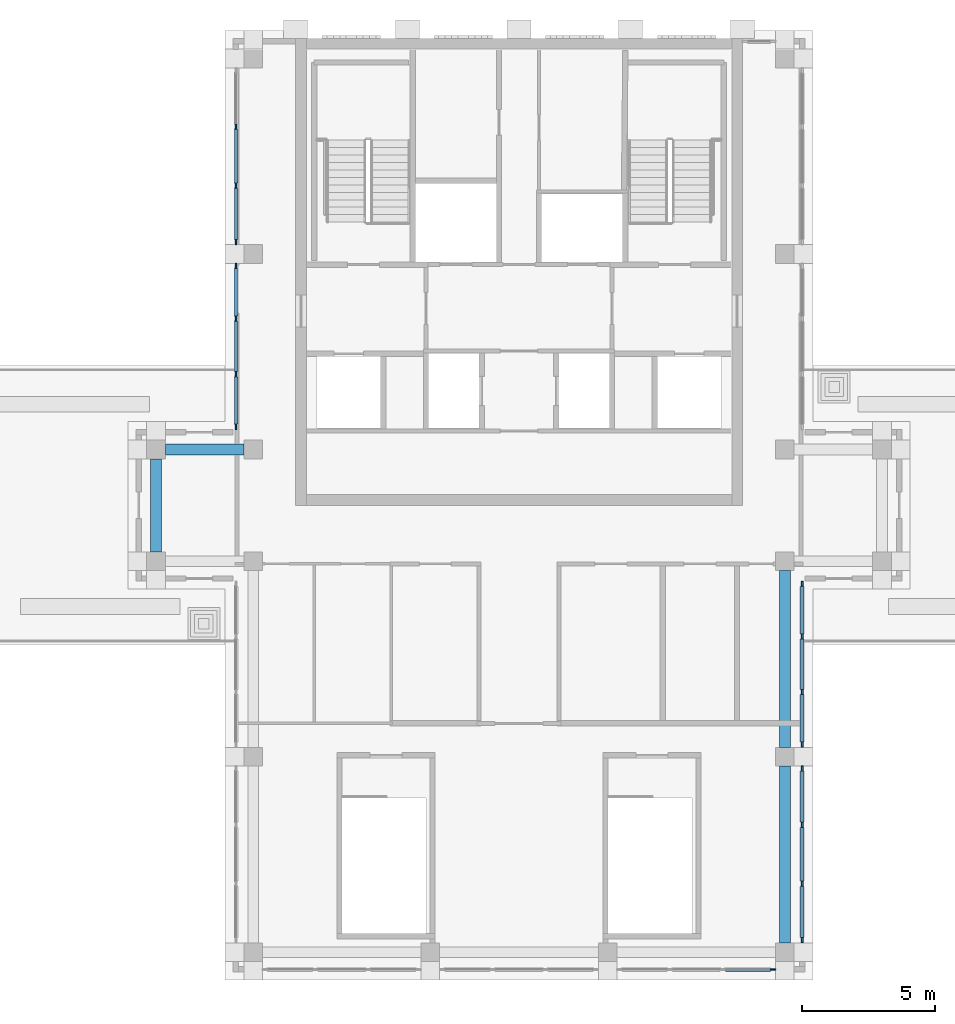
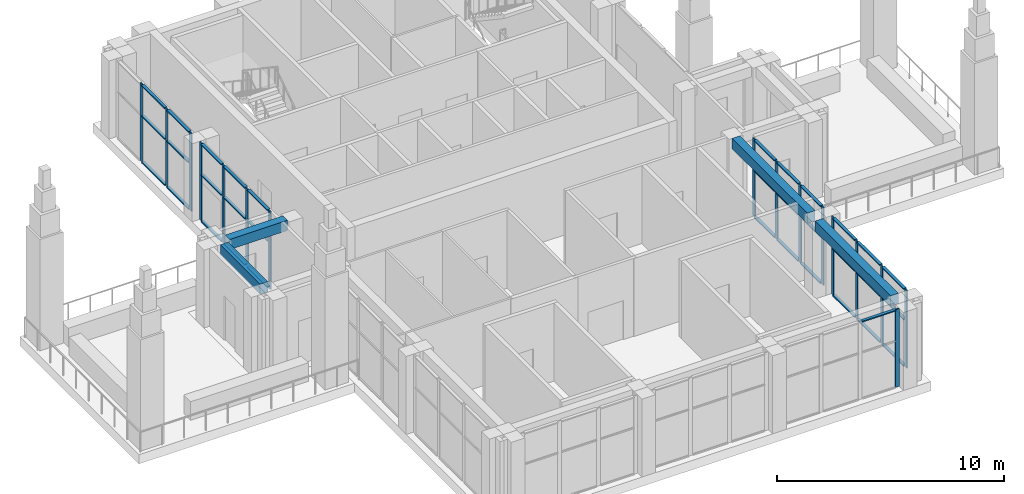
# One storey, part 3 of 12: 50 members, 4 beams, 5 elements without a shape of their own.
"""IFC4 building model written with IfcOpenShell, lengths in metres."""

from ifc_helpers import new_model, si_unit, direction, frame, origin, origin_2d, place, context, subcontext, project, spatial, rectangle, extrude, material, material_profile, profile_set, type_object, element, aggregate, save


model = new_model("IFC4")

# Units and contexts
model_context = context("Model", 3, precision=1e-05, world=origin(), true_north=direction((0.0, 1.0)))
body_context = subcontext(model_context, "Body", "Model", "MODEL_VIEW")
ifc_project = project(units=[si_unit("LENGTHUNIT", "METRE"), si_unit("AREAUNIT", "SQUARE_METRE"), si_unit("VOLUMEUNIT", "CUBIC_METRE"), si_unit("PLANEANGLEUNIT", "RADIAN"), si_unit("MASSUNIT", "GRAM", prefix="KILO")], contexts=[model_context])

# Site, building, storey
site_placement = place(None, origin())
site = spatial("IfcSite", under=ifc_project, at=site_placement, CompositionType="ELEMENT")
building_placement = place(site_placement, origin())
building = spatial("IfcBuilding", under=site, at=building_placement, Name="Vermilion Ogive Tower", CompositionType="ELEMENT")
storey_placement = place(building_placement, frame((0.0, 0.0, 298.35009765625)))
storey = spatial("IfcBuildingStorey", under=building, at=storey_placement, Name="L77", CompositionType="ELEMENT", Elevation=298.35009765625)

# Curtain wall, member
ifc_material_1 = material(Name="Low-iron laminated glazing in aluminium frame", Category="aluminium")
curtain_wall_type = type_object("IfcCurtainWallType", Name="Curtain wall CW3", PredefinedType="NOTDEFINED", material=ifc_material_1)
curtain_wall_1_placement = place(storey_placement, origin())
curtain_wall_1 = element("IfcCurtainWall", 1, at=curtain_wall_1_placement, inside=storey, type_object=curtain_wall_type, Name="CW3 glazing S4", PredefinedType="NOTDEFINED")
ifc_material_2 = material(Name="Aluminium mullion", Category="aluminium")
ifc_material_profile_1 = material_profile(ifc_material_2, rectangle(XDim=0.06005859375, YDim=0.199951171875, at=origin_2d()), Name="AL 60x200")
ifc_profile_set_1 = profile_set([ifc_material_profile_1], Name="Aluminium mullion")
member_type_1 = type_object("IfcMemberType", Name="CW3 mullion 60x200", PredefinedType="MULLION", material=ifc_profile_set_1)
member_1_placement = place(storey_placement, frame((9.550048828125, -13.25, 0.0), z_axis=(0.0, 0.0, 1.0), x_axis=(0.0, 1.0, 0.0)))
member_1 = element("IfcMember", 2, at=member_1_placement, type_object=member_type_1, Name="CW3-S4 mullion 4", PredefinedType="MULLION", context=body_context, shape_type="SweptSolid", body=[
    extrude(rectangle(XDim=0.06005859375, YDim=0.199951171875, at=origin_2d()), origin(), (0.0, 0.0, 1.0), 4.199951171875),
])

# Curtain wall, members
curtain_wall_2_placement = place(storey_placement, origin())
curtain_wall_2 = element("IfcCurtainWall", 3, at=curtain_wall_2_placement, inside=storey, type_object=curtain_wall_type, Name="CW3 glazing X12", PredefinedType="NOTDEFINED")
member_2_placement = place(storey_placement, frame((10.64990234375, -12.14990234375, 0.0), z_axis=(0.0, 0.0, 1.0), x_axis=(-1.0, 0.0, 0.0)))
member_2 = element("IfcMember", 4, at=member_2_placement, type_object=member_type_1, Name="CW3-X12 mullion 1", PredefinedType="MULLION", context=body_context, shape_type="SweptSolid", body=[
    extrude(rectangle(XDim=0.06005859375, YDim=0.199951171875, at=origin_2d()), origin(), (0.0, 0.0, 1.0), 4.199951171875),
])
member_3_placement = place(storey_placement, frame((10.64990234375, -10.033447265625, 0.0), z_axis=(0.0, 0.0, 1.0), x_axis=(-1.0, 0.0, 0.0)))
member_3 = element("IfcMember", 5, at=member_3_placement, type_object=member_type_1, Name="CW3-X12 mullion 2", PredefinedType="MULLION", context=body_context, shape_type="SweptSolid", body=[
    extrude(rectangle(XDim=0.06005859375, YDim=0.199951171875, at=origin_2d()), origin(), (0.0, 0.0, 1.0), 4.199951171875),
])
member_4_placement = place(storey_placement, frame((10.64990234375, -7.816650390625, 0.0), z_axis=(0.0, 0.0, 1.0), x_axis=(-1.0, 0.0, 0.0)))
member_4 = element("IfcMember", 6, at=member_4_placement, type_object=member_type_1, Name="CW3-X12 mullion 3", PredefinedType="MULLION", context=body_context, shape_type="SweptSolid", body=[
    extrude(rectangle(XDim=0.06005859375, YDim=0.199951171875, at=origin_2d()), origin(), (0.0, 0.0, 1.0), 4.199951171875),
])
member_5_placement = place(storey_placement, frame((10.64990234375, -5.699951171875, 0.0), z_axis=(0.0, 0.0, 1.0), x_axis=(-1.0, 0.0, 0.0)))
member_5 = element("IfcMember", 7, at=member_5_placement, type_object=member_type_1, Name="CW3-X12 mullion 4", PredefinedType="MULLION", context=body_context, shape_type="SweptSolid", body=[
    extrude(rectangle(XDim=0.06005859375, YDim=0.199951171875, at=origin_2d()), origin(), (0.0, 0.0, 1.0), 4.199951171875),
])

curtain_wall_3_placement = place(storey_placement, origin())
curtain_wall_3 = element("IfcCurtainWall", 8, at=curtain_wall_3_placement, inside=storey, type_object=curtain_wall_type, Name="CW3 glazing X13", PredefinedType="NOTDEFINED")
member_6_placement = place(storey_placement, frame((10.64990234375, -4.800048828125, 0.0), z_axis=(0.0, 0.0, 1.0), x_axis=(-1.0, 0.0, 0.0)))
member_6 = element("IfcMember", 9, at=member_6_placement, type_object=member_type_1, Name="CW3-X13 mullion 1", PredefinedType="MULLION", context=body_context, shape_type="SweptSolid", body=[
    extrude(rectangle(XDim=0.06005859375, YDim=0.199951171875, at=origin_2d()), origin(), (0.0, 0.0, 1.0), 4.199951171875),
])
member_7_placement = place(storey_placement, frame((10.64990234375, -2.816650390625, 0.0), z_axis=(0.0, 0.0, 1.0), x_axis=(-1.0, 0.0, 0.0)))
member_7 = element("IfcMember", 10, at=member_7_placement, type_object=member_type_1, Name="CW3-X13 mullion 2", PredefinedType="MULLION", context=body_context, shape_type="SweptSolid", body=[
    extrude(rectangle(XDim=0.06005859375, YDim=0.199951171875, at=origin_2d()), origin(), (0.0, 0.0, 1.0), 4.199951171875),
])
member_8_placement = place(storey_placement, frame((10.64990234375, -0.7333984375, 0.0), z_axis=(0.0, 0.0, 1.0), x_axis=(-1.0, 0.0, 0.0)))
member_8 = element("IfcMember", 11, at=member_8_placement, type_object=member_type_1, Name="CW3-X13 mullion 3", PredefinedType="MULLION", context=body_context, shape_type="SweptSolid", body=[
    extrude(rectangle(XDim=0.06005859375, YDim=0.199951171875, at=origin_2d()), origin(), (0.0, 0.0, 1.0), 4.199951171875),
])
member_9_placement = place(storey_placement, frame((10.64990234375, 1.25, 0.0), z_axis=(0.0, 0.0, 1.0), x_axis=(-1.0, 0.0, 0.0)))
member_9 = element("IfcMember", 12, at=member_9_placement, type_object=member_type_1, Name="CW3-X13 mullion 4", PredefinedType="MULLION", context=body_context, shape_type="SweptSolid", body=[
    extrude(rectangle(XDim=0.06005859375, YDim=0.199951171875, at=origin_2d()), origin(), (0.0, 0.0, 1.0), 4.199951171875),
])

curtain_wall_4_placement = place(storey_placement, origin())
curtain_wall_4 = element("IfcCurtainWall", 13, at=curtain_wall_4_placement, inside=storey, type_object=curtain_wall_type, Name="CW3 glazing X52", PredefinedType="NOTDEFINED")
member_10_placement = place(storey_placement, frame((-10.64990234375, 18.433349609375, 0.0), z_axis=(0.0, 0.0, 1.0), x_axis=(1.0, 0.0, 0.0)))
member_10 = element("IfcMember", 14, at=member_10_placement, type_object=member_type_1, Name="CW3-X52 mullion 2", PredefinedType="MULLION", context=body_context, shape_type="SweptSolid", body=[
    extrude(rectangle(XDim=0.06005859375, YDim=0.199951171875, at=origin_2d()), origin(), (0.0, 0.0, 1.0), 4.199951171875),
])
member_11_placement = place(storey_placement, frame((-10.64990234375, 16.216552734375, 0.0), z_axis=(0.0, 0.0, 1.0), x_axis=(1.0, 0.0, 0.0)))
member_11 = element("IfcMember", 15, at=member_11_placement, type_object=member_type_1, Name="CW3-X52 mullion 3", PredefinedType="MULLION", context=body_context, shape_type="SweptSolid", body=[
    extrude(rectangle(XDim=0.06005859375, YDim=0.199951171875, at=origin_2d()), origin(), (0.0, 0.0, 1.0), 4.199951171875),
])
member_12_placement = place(storey_placement, frame((-10.64990234375, 14.10009765625, 0.0), z_axis=(0.0, 0.0, 1.0), x_axis=(1.0, 0.0, 0.0)))
member_12 = element("IfcMember", 16, at=member_12_placement, type_object=member_type_1, Name="CW3-X52 mullion 4", PredefinedType="MULLION", context=body_context, shape_type="SweptSolid", body=[
    extrude(rectangle(XDim=0.06005859375, YDim=0.199951171875, at=origin_2d()), origin(), (0.0, 0.0, 1.0), 4.199951171875),
])

curtain_wall_5_placement = place(storey_placement, origin())
curtain_wall_5 = element("IfcCurtainWall", 17, at=curtain_wall_5_placement, inside=storey, type_object=curtain_wall_type, Name="CW3 glazing X53", PredefinedType="NOTDEFINED")
member_13_placement = place(storey_placement, frame((-10.64990234375, 13.199951171875, 0.0), z_axis=(0.0, 0.0, 1.0), x_axis=(1.0, 0.0, 0.0)))
member_13 = element("IfcMember", 18, at=member_13_placement, type_object=member_type_1, Name="CW3-X53 mullion 1", PredefinedType="MULLION", context=body_context, shape_type="SweptSolid", body=[
    extrude(rectangle(XDim=0.06005859375, YDim=0.199951171875, at=origin_2d()), origin(), (0.0, 0.0, 1.0), 4.199951171875),
])
member_14_placement = place(storey_placement, frame((-10.64990234375, 11.216552734375, 0.0), z_axis=(0.0, 0.0, 1.0), x_axis=(1.0, 0.0, 0.0)))
member_14 = element("IfcMember", 19, at=member_14_placement, type_object=member_type_1, Name="CW3-X53 mullion 2", PredefinedType="MULLION", context=body_context, shape_type="SweptSolid", body=[
    extrude(rectangle(XDim=0.06005859375, YDim=0.199951171875, at=origin_2d()), origin(), (0.0, 0.0, 1.0), 4.199951171875),
])
member_15_placement = place(storey_placement, frame((-10.64990234375, 9.13330078125, 0.0), z_axis=(0.0, 0.0, 1.0), x_axis=(1.0, 0.0, 0.0)))
member_15 = element("IfcMember", 20, at=member_15_placement, type_object=member_type_1, Name="CW3-X53 mullion 3", PredefinedType="MULLION", context=body_context, shape_type="SweptSolid", body=[
    extrude(rectangle(XDim=0.06005859375, YDim=0.199951171875, at=origin_2d()), origin(), (0.0, 0.0, 1.0), 4.199951171875),
])
member_16_placement = place(storey_placement, frame((-10.64990234375, 7.14990234375, 0.0), z_axis=(0.0, 0.0, 1.0), x_axis=(1.0, 0.0, 0.0)))
member_16 = element("IfcMember", 21, at=member_16_placement, type_object=member_type_1, Name="CW3-X53 mullion 4", PredefinedType="MULLION", context=body_context, shape_type="SweptSolid", body=[
    extrude(rectangle(XDim=0.06005859375, YDim=0.199951171875, at=origin_2d()), origin(), (0.0, 0.0, 1.0), 4.199951171875),
])

# Member
ifc_material_3 = material(Name="Aluminium transom", Category="aluminium")
ifc_material_profile_2 = material_profile(ifc_material_3, rectangle(XDim=0.14990234375, YDim=0.06005859375, at=origin_2d()), Name="AL 60x150")
ifc_profile_set_2 = profile_set([ifc_material_profile_2], Name="Aluminium transom")
member_type_2 = type_object("IfcMemberType", Name="CW3 transom 60x150", PredefinedType="USERDEFINED", material=ifc_profile_set_2)
member_17_placement = place(storey_placement, frame((7.76123046875, -13.25, 4.169921875), z_axis=(1.0, 0.0, 0.0), x_axis=(0.0, 1.0, 0.0)))
member_17 = element("IfcMember", 22, at=member_17_placement, type_object=member_type_2, Name="CW3-S4 transom 3.3", ObjectType="TRANSOM", PredefinedType="USERDEFINED", context=body_context, shape_type="SweptSolid", body=[
    extrude(rectangle(XDim=0.14990234375, YDim=0.06005859375, at=origin_2d()), origin(), (0.0, 0.0, 1.0), 1.688720703125),
])

aggregate(curtain_wall_1, [member_1, member_17])

member_18_placement = place(storey_placement, frame((10.64990234375, -12.050048828125, 0.02978515625), z_axis=(0.0, 1.0, 0.0), x_axis=(-1.0, 0.0, 0.0)))
member_18 = element("IfcMember", 23, at=member_18_placement, type_object=member_type_2, Name="CW3-X12 transom 1.1", ObjectType="TRANSOM", PredefinedType="USERDEFINED", context=body_context, shape_type="SweptSolid", body=[
    extrude(rectangle(XDim=0.14990234375, YDim=0.06005859375, at=origin_2d()), origin(), (0.0, 0.0, 1.0), 1.916748046875),
])

member_19_placement = place(storey_placement, frame((10.64990234375, -12.050048828125, 2.52001953125), z_axis=(0.0, 1.0, 0.0), x_axis=(-1.0, 0.0, 0.0)))
member_19 = element("IfcMember", 24, at=member_19_placement, type_object=member_type_2, Name="CW3-X12 transom 1.2", ObjectType="TRANSOM", PredefinedType="USERDEFINED", context=body_context, shape_type="SweptSolid", body=[
    extrude(rectangle(XDim=0.14990234375, YDim=0.06005859375, at=origin_2d()), origin(), (0.0, 0.0, 1.0), 1.916748046875),
])

member_20_placement = place(storey_placement, frame((10.64990234375, -12.050048828125, 4.169921875), z_axis=(0.0, 1.0, 0.0), x_axis=(-1.0, 0.0, 0.0)))
member_20 = element("IfcMember", 25, at=member_20_placement, type_object=member_type_2, Name="CW3-X12 transom 1.3", ObjectType="TRANSOM", PredefinedType="USERDEFINED", context=body_context, shape_type="SweptSolid", body=[
    extrude(rectangle(XDim=0.14990234375, YDim=0.06005859375, at=origin_2d()), origin(), (0.0, 0.0, 1.0), 1.916748046875),
])

member_21_placement = place(storey_placement, frame((10.64990234375, -9.933349609375, 0.02978515625), z_axis=(0.0, 1.0, 0.0), x_axis=(-1.0, 0.0, 0.0)))
member_21 = element("IfcMember", 26, at=member_21_placement, type_object=member_type_2, Name="CW3-X12 transom 2.1", ObjectType="TRANSOM", PredefinedType="USERDEFINED", context=body_context, shape_type="SweptSolid", body=[
    extrude(rectangle(XDim=0.14990234375, YDim=0.06005859375, at=origin_2d()), origin(), (0.0, 0.0, 1.0), 2.0166015625),
])

member_22_placement = place(storey_placement, frame((10.64990234375, -9.933349609375, 2.52001953125), z_axis=(0.0, 1.0, 0.0), x_axis=(-1.0, 0.0, 0.0)))
member_22 = element("IfcMember", 27, at=member_22_placement, type_object=member_type_2, Name="CW3-X12 transom 2.2", ObjectType="TRANSOM", PredefinedType="USERDEFINED", context=body_context, shape_type="SweptSolid", body=[
    extrude(rectangle(XDim=0.14990234375, YDim=0.06005859375, at=origin_2d()), origin(), (0.0, 0.0, 1.0), 2.0166015625),
])

member_23_placement = place(storey_placement, frame((10.64990234375, -9.933349609375, 4.169921875), z_axis=(0.0, 1.0, 0.0), x_axis=(-1.0, 0.0, 0.0)))
member_23 = element("IfcMember", 28, at=member_23_placement, type_object=member_type_2, Name="CW3-X12 transom 2.3", ObjectType="TRANSOM", PredefinedType="USERDEFINED", context=body_context, shape_type="SweptSolid", body=[
    extrude(rectangle(XDim=0.14990234375, YDim=0.06005859375, at=origin_2d()), origin(), (0.0, 0.0, 1.0), 2.0166015625),
])

member_24_placement = place(storey_placement, frame((10.64990234375, -7.716552734375, 0.02978515625), z_axis=(0.0, 1.0, 0.0), x_axis=(-1.0, 0.0, 0.0)))
member_24 = element("IfcMember", 29, at=member_24_placement, type_object=member_type_2, Name="CW3-X12 transom 3.1", ObjectType="TRANSOM", PredefinedType="USERDEFINED", context=body_context, shape_type="SweptSolid", body=[
    extrude(rectangle(XDim=0.14990234375, YDim=0.06005859375, at=origin_2d()), origin(), (0.0, 0.0, 1.0), 1.91650390625),
])

member_25_placement = place(storey_placement, frame((10.64990234375, -7.716552734375, 2.52001953125), z_axis=(0.0, 1.0, 0.0), x_axis=(-1.0, 0.0, 0.0)))
member_25 = element("IfcMember", 30, at=member_25_placement, type_object=member_type_2, Name="CW3-X12 transom 3.2", ObjectType="TRANSOM", PredefinedType="USERDEFINED", context=body_context, shape_type="SweptSolid", body=[
    extrude(rectangle(XDim=0.14990234375, YDim=0.06005859375, at=origin_2d()), origin(), (0.0, 0.0, 1.0), 1.91650390625),
])

member_26_placement = place(storey_placement, frame((10.64990234375, -7.716552734375, 4.169921875), z_axis=(0.0, 1.0, 0.0), x_axis=(-1.0, 0.0, 0.0)))
member_26 = element("IfcMember", 31, at=member_26_placement, type_object=member_type_2, Name="CW3-X12 transom 3.3", ObjectType="TRANSOM", PredefinedType="USERDEFINED", context=body_context, shape_type="SweptSolid", body=[
    extrude(rectangle(XDim=0.14990234375, YDim=0.06005859375, at=origin_2d()), origin(), (0.0, 0.0, 1.0), 1.91650390625),
])

aggregate(curtain_wall_2, [member_2, member_3, member_4, member_5, member_18, member_19, member_20, member_21, member_22, member_23, member_24, member_25, member_26])

member_27_placement = place(storey_placement, frame((10.64990234375, -4.699951171875, 0.02978515625), z_axis=(0.0, 1.0, 0.0), x_axis=(-1.0, 0.0, 0.0)))
member_27 = element("IfcMember", 32, at=member_27_placement, type_object=member_type_2, Name="CW3-X13 transom 1.1", ObjectType="TRANSOM", PredefinedType="USERDEFINED", context=body_context, shape_type="SweptSolid", body=[
    extrude(rectangle(XDim=0.14990234375, YDim=0.06005859375, at=origin_2d()), origin(), (0.0, 0.0, 1.0), 1.783203125),
])

member_28_placement = place(storey_placement, frame((10.64990234375, -4.699951171875, 2.52001953125), z_axis=(0.0, 1.0, 0.0), x_axis=(-1.0, 0.0, 0.0)))
member_28 = element("IfcMember", 33, at=member_28_placement, type_object=member_type_2, Name="CW3-X13 transom 1.2", ObjectType="TRANSOM", PredefinedType="USERDEFINED", context=body_context, shape_type="SweptSolid", body=[
    extrude(rectangle(XDim=0.14990234375, YDim=0.06005859375, at=origin_2d()), origin(), (0.0, 0.0, 1.0), 1.783203125),
])

member_29_placement = place(storey_placement, frame((10.64990234375, -4.699951171875, 4.169921875), z_axis=(0.0, 1.0, 0.0), x_axis=(-1.0, 0.0, 0.0)))
member_29 = element("IfcMember", 34, at=member_29_placement, type_object=member_type_2, Name="CW3-X13 transom 1.3", ObjectType="TRANSOM", PredefinedType="USERDEFINED", context=body_context, shape_type="SweptSolid", body=[
    extrude(rectangle(XDim=0.14990234375, YDim=0.06005859375, at=origin_2d()), origin(), (0.0, 0.0, 1.0), 1.783203125),
])

member_30_placement = place(storey_placement, frame((10.64990234375, -2.716552734375, 0.02978515625), z_axis=(0.0, 1.0, 0.0), x_axis=(-1.0, 0.0, 0.0)))
member_30 = element("IfcMember", 35, at=member_30_placement, type_object=member_type_2, Name="CW3-X13 transom 2.1", ObjectType="TRANSOM", PredefinedType="USERDEFINED", context=body_context, shape_type="SweptSolid", body=[
    extrude(rectangle(XDim=0.14990234375, YDim=0.06005859375, at=origin_2d()), origin(), (0.0, 0.0, 1.0), 1.88330078125),
])

member_31_placement = place(storey_placement, frame((10.64990234375, -2.716552734375, 2.52001953125), z_axis=(0.0, 1.0, 0.0), x_axis=(-1.0, 0.0, 0.0)))
member_31 = element("IfcMember", 36, at=member_31_placement, type_object=member_type_2, Name="CW3-X13 transom 2.2", ObjectType="TRANSOM", PredefinedType="USERDEFINED", context=body_context, shape_type="SweptSolid", body=[
    extrude(rectangle(XDim=0.14990234375, YDim=0.06005859375, at=origin_2d()), origin(), (0.0, 0.0, 1.0), 1.88330078125),
])

member_32_placement = place(storey_placement, frame((10.64990234375, -2.716552734375, 4.169921875), z_axis=(0.0, 1.0, 0.0), x_axis=(-1.0, 0.0, 0.0)))
member_32 = element("IfcMember", 37, at=member_32_placement, type_object=member_type_2, Name="CW3-X13 transom 2.3", ObjectType="TRANSOM", PredefinedType="USERDEFINED", context=body_context, shape_type="SweptSolid", body=[
    extrude(rectangle(XDim=0.14990234375, YDim=0.06005859375, at=origin_2d()), origin(), (0.0, 0.0, 1.0), 1.88330078125),
])

member_33_placement = place(storey_placement, frame((10.64990234375, -0.63330078125, 0.02978515625), z_axis=(0.0, 1.0, 0.0), x_axis=(-1.0, 0.0, 0.0)))
member_33 = element("IfcMember", 38, at=member_33_placement, type_object=member_type_2, Name="CW3-X13 transom 3.1", ObjectType="TRANSOM", PredefinedType="USERDEFINED", context=body_context, shape_type="SweptSolid", body=[
    extrude(rectangle(XDim=0.14990234375, YDim=0.06005859375, at=origin_2d()), origin(), (0.0, 0.0, 1.0), 1.783203125),
])

member_34_placement = place(storey_placement, frame((10.64990234375, -0.63330078125, 2.52001953125), z_axis=(0.0, 1.0, 0.0), x_axis=(-1.0, 0.0, 0.0)))
member_34 = element("IfcMember", 39, at=member_34_placement, type_object=member_type_2, Name="CW3-X13 transom 3.2", ObjectType="TRANSOM", PredefinedType="USERDEFINED", context=body_context, shape_type="SweptSolid", body=[
    extrude(rectangle(XDim=0.14990234375, YDim=0.06005859375, at=origin_2d()), origin(), (0.0, 0.0, 1.0), 1.783203125),
])

member_35_placement = place(storey_placement, frame((10.64990234375, -0.63330078125, 4.169921875), z_axis=(0.0, 1.0, 0.0), x_axis=(-1.0, 0.0, 0.0)))
member_35 = element("IfcMember", 40, at=member_35_placement, type_object=member_type_2, Name="CW3-X13 transom 3.3", ObjectType="TRANSOM", PredefinedType="USERDEFINED", context=body_context, shape_type="SweptSolid", body=[
    extrude(rectangle(XDim=0.14990234375, YDim=0.06005859375, at=origin_2d()), origin(), (0.0, 0.0, 1.0), 1.783203125),
])

aggregate(curtain_wall_3, [member_6, member_7, member_8, member_9, member_27, member_28, member_29, member_30, member_31, member_32, member_33, member_34, member_35])

member_36_placement = place(storey_placement, frame((-10.64990234375, 18.333251953125, 0.02978515625), z_axis=(0.0, -1.0, 0.0), x_axis=(1.0, 0.0, 0.0)))
member_36 = element("IfcMember", 41, at=member_36_placement, type_object=member_type_2, Name="CW3-X52 transom 2.1", ObjectType="TRANSOM", PredefinedType="USERDEFINED", context=body_context, shape_type="SweptSolid", body=[
    extrude(rectangle(XDim=0.14990234375, YDim=0.06005859375, at=origin_2d()), origin(), (0.0, 0.0, 1.0), 2.0166015625),
])

member_37_placement = place(storey_placement, frame((-10.64990234375, 18.333251953125, 2.52001953125), z_axis=(0.0, -1.0, 0.0), x_axis=(1.0, 0.0, 0.0)))
member_37 = element("IfcMember", 42, at=member_37_placement, type_object=member_type_2, Name="CW3-X52 transom 2.2", ObjectType="TRANSOM", PredefinedType="USERDEFINED", context=body_context, shape_type="SweptSolid", body=[
    extrude(rectangle(XDim=0.14990234375, YDim=0.06005859375, at=origin_2d()), origin(), (0.0, 0.0, 1.0), 2.0166015625),
])

member_38_placement = place(storey_placement, frame((-10.64990234375, 18.333251953125, 4.169921875), z_axis=(0.0, -1.0, 0.0), x_axis=(1.0, 0.0, 0.0)))
member_38 = element("IfcMember", 43, at=member_38_placement, type_object=member_type_2, Name="CW3-X52 transom 2.3", ObjectType="TRANSOM", PredefinedType="USERDEFINED", context=body_context, shape_type="SweptSolid", body=[
    extrude(rectangle(XDim=0.14990234375, YDim=0.06005859375, at=origin_2d()), origin(), (0.0, 0.0, 1.0), 2.0166015625),
])

member_39_placement = place(storey_placement, frame((-10.64990234375, 16.11669921875, 0.02978515625), z_axis=(0.0, -1.0, 0.0), x_axis=(1.0, 0.0, 0.0)))
member_39 = element("IfcMember", 44, at=member_39_placement, type_object=member_type_2, Name="CW3-X52 transom 3.1", ObjectType="TRANSOM", PredefinedType="USERDEFINED", context=body_context, shape_type="SweptSolid", body=[
    extrude(rectangle(XDim=0.14990234375, YDim=0.06005859375, at=origin_2d()), origin(), (0.0, 0.0, 1.0), 1.916748046875),
])

member_40_placement = place(storey_placement, frame((-10.64990234375, 16.11669921875, 2.52001953125), z_axis=(0.0, -1.0, 0.0), x_axis=(1.0, 0.0, 0.0)))
member_40 = element("IfcMember", 45, at=member_40_placement, type_object=member_type_2, Name="CW3-X52 transom 3.2", ObjectType="TRANSOM", PredefinedType="USERDEFINED", context=body_context, shape_type="SweptSolid", body=[
    extrude(rectangle(XDim=0.14990234375, YDim=0.06005859375, at=origin_2d()), origin(), (0.0, 0.0, 1.0), 1.916748046875),
])

member_41_placement = place(storey_placement, frame((-10.64990234375, 16.11669921875, 4.169921875), z_axis=(0.0, -1.0, 0.0), x_axis=(1.0, 0.0, 0.0)))
member_41 = element("IfcMember", 46, at=member_41_placement, type_object=member_type_2, Name="CW3-X52 transom 3.3", ObjectType="TRANSOM", PredefinedType="USERDEFINED", context=body_context, shape_type="SweptSolid", body=[
    extrude(rectangle(XDim=0.14990234375, YDim=0.06005859375, at=origin_2d()), origin(), (0.0, 0.0, 1.0), 1.916748046875),
])

aggregate(curtain_wall_4, [member_10, member_11, member_12, member_36, member_37, member_38, member_39, member_40, member_41])

member_42_placement = place(storey_placement, frame((-10.64990234375, 13.10009765625, 0.02978515625), z_axis=(0.0, -1.0, 0.0), x_axis=(1.0, 0.0, 0.0)))
member_42 = element("IfcMember", 47, at=member_42_placement, type_object=member_type_2, Name="CW3-X53 transom 1.1", ObjectType="TRANSOM", PredefinedType="USERDEFINED", context=body_context, shape_type="SweptSolid", body=[
    extrude(rectangle(XDim=0.14990234375, YDim=0.06005859375, at=origin_2d()), origin(), (0.0, 0.0, 1.0), 1.783447265625),
])

member_43_placement = place(storey_placement, frame((-10.64990234375, 13.10009765625, 2.52001953125), z_axis=(0.0, -1.0, 0.0), x_axis=(1.0, 0.0, 0.0)))
member_43 = element("IfcMember", 48, at=member_43_placement, type_object=member_type_2, Name="CW3-X53 transom 1.2", ObjectType="TRANSOM", PredefinedType="USERDEFINED", context=body_context, shape_type="SweptSolid", body=[
    extrude(rectangle(XDim=0.14990234375, YDim=0.06005859375, at=origin_2d()), origin(), (0.0, 0.0, 1.0), 1.783447265625),
])

member_44_placement = place(storey_placement, frame((-10.64990234375, 13.10009765625, 4.169921875), z_axis=(0.0, -1.0, 0.0), x_axis=(1.0, 0.0, 0.0)))
member_44 = element("IfcMember", 49, at=member_44_placement, type_object=member_type_2, Name="CW3-X53 transom 1.3", ObjectType="TRANSOM", PredefinedType="USERDEFINED", context=body_context, shape_type="SweptSolid", body=[
    extrude(rectangle(XDim=0.14990234375, YDim=0.06005859375, at=origin_2d()), origin(), (0.0, 0.0, 1.0), 1.783447265625),
])

member_45_placement = place(storey_placement, frame((-10.64990234375, 11.11669921875, 0.02978515625), z_axis=(0.0, -1.0, 0.0), x_axis=(1.0, 0.0, 0.0)))
member_45 = element("IfcMember", 50, at=member_45_placement, type_object=member_type_2, Name="CW3-X53 transom 2.1", ObjectType="TRANSOM", PredefinedType="USERDEFINED", context=body_context, shape_type="SweptSolid", body=[
    extrude(rectangle(XDim=0.14990234375, YDim=0.06005859375, at=origin_2d()), origin(), (0.0, 0.0, 1.0), 1.88330078125),
])

member_46_placement = place(storey_placement, frame((-10.64990234375, 11.11669921875, 2.52001953125), z_axis=(0.0, -1.0, 0.0), x_axis=(1.0, 0.0, 0.0)))
member_46 = element("IfcMember", 51, at=member_46_placement, type_object=member_type_2, Name="CW3-X53 transom 2.2", ObjectType="TRANSOM", PredefinedType="USERDEFINED", context=body_context, shape_type="SweptSolid", body=[
    extrude(rectangle(XDim=0.14990234375, YDim=0.06005859375, at=origin_2d()), origin(), (0.0, 0.0, 1.0), 1.88330078125),
])

member_47_placement = place(storey_placement, frame((-10.64990234375, 11.11669921875, 4.169921875), z_axis=(0.0, -1.0, 0.0), x_axis=(1.0, 0.0, 0.0)))
member_47 = element("IfcMember", 52, at=member_47_placement, type_object=member_type_2, Name="CW3-X53 transom 2.3", ObjectType="TRANSOM", PredefinedType="USERDEFINED", context=body_context, shape_type="SweptSolid", body=[
    extrude(rectangle(XDim=0.14990234375, YDim=0.06005859375, at=origin_2d()), origin(), (0.0, 0.0, 1.0), 1.88330078125),
])

member_48_placement = place(storey_placement, frame((-10.64990234375, 9.033447265625, 0.02978515625), z_axis=(0.0, -1.0, 0.0), x_axis=(1.0, 0.0, 0.0)))
member_48 = element("IfcMember", 53, at=member_48_placement, type_object=member_type_2, Name="CW3-X53 transom 3.1", ObjectType="TRANSOM", PredefinedType="USERDEFINED", context=body_context, shape_type="SweptSolid", body=[
    extrude(rectangle(XDim=0.14990234375, YDim=0.06005859375, at=origin_2d()), origin(), (0.0, 0.0, 1.0), 1.783447265625),
])

member_49_placement = place(storey_placement, frame((-10.64990234375, 9.033447265625, 2.52001953125), z_axis=(0.0, -1.0, 0.0), x_axis=(1.0, 0.0, 0.0)))
member_49 = element("IfcMember", 54, at=member_49_placement, type_object=member_type_2, Name="CW3-X53 transom 3.2", ObjectType="TRANSOM", PredefinedType="USERDEFINED", context=body_context, shape_type="SweptSolid", body=[
    extrude(rectangle(XDim=0.14990234375, YDim=0.06005859375, at=origin_2d()), origin(), (0.0, 0.0, 1.0), 1.783447265625),
])

member_50_placement = place(storey_placement, frame((-10.64990234375, 9.033447265625, 4.169921875), z_axis=(0.0, -1.0, 0.0), x_axis=(1.0, 0.0, 0.0)))
member_50 = element("IfcMember", 55, at=member_50_placement, type_object=member_type_2, Name="CW3-X53 transom 3.3", ObjectType="TRANSOM", PredefinedType="USERDEFINED", context=body_context, shape_type="SweptSolid", body=[
    extrude(rectangle(XDim=0.14990234375, YDim=0.06005859375, at=origin_2d()), origin(), (0.0, 0.0, 1.0), 1.783447265625),
])

aggregate(curtain_wall_5, [member_13, member_14, member_15, member_16, member_42, member_43, member_44, member_45, member_46, member_47, member_48, member_49, member_50])

# Beams
ifc_material_4 = material(Name="Concrete B45", Category="concrete")
ifc_material_profile_3 = material_profile(ifc_material_4, rectangle(XDim=0.39990234375, YDim=0.550048828125, at=origin_2d()), Name="400 x 550")
ifc_profile_set_3 = profile_set([ifc_material_profile_3], Name="Concrete B45")
beam_type = type_object("IfcBeamType", Name="Edge beam 400 x 550 B45", PredefinedType="BEAM", material=ifc_profile_set_3)
for number, where, z_axis, x_axis, name in (
    (56, (10.0, -12.25, 3.9248046875), (0.0, 1.0, 0.0), (-1.0, 0.0, 0.0), "L77-EB-4"),
    (57, (10.0, -4.89990234375, 3.9248046875), (0.0, 1.0, 0.0), (-1.0, 0.0, 0.0), "L77-EB-5"),
):
    element("IfcBeam", number, at=place(storey_placement, frame(where, z_axis=z_axis, x_axis=x_axis)), inside=storey, type_object=beam_type, Name=name, PredefinedType="BEAM", context=body_context, shape_type="SweptSolid", body=[
        extrude(rectangle(XDim=0.39990234375, YDim=0.550048828125, at=origin_2d()), origin(), (0.0, 0.0, 1.0), 6.64990234375),
    ])
beam_1_placement = place(storey_placement, frame((-10.35009765625, 6.300048828125, 3.9248046875), z_axis=(-1.0, 0.0, 0.0), x_axis=(0.0, -1.0, 0.0)))
element("IfcBeam", 58, at=beam_1_placement, inside=storey, type_object=beam_type, Name="L77-EB-9", PredefinedType="BEAM", context=body_context, shape_type="SweptSolid", body=[
    extrude(rectangle(XDim=0.39990234375, YDim=0.550048828125, at=origin_2d()), origin(), (0.0, 0.0, 1.0), 2.949951171875),
])
beam_2_placement = place(storey_placement, frame((-13.64990234375, 5.949951171875, 3.9248046875), z_axis=(0.0, -1.0, 0.0), x_axis=(1.0, 0.0, 0.0)))
element("IfcBeam", 59, at=beam_2_placement, inside=storey, type_object=beam_type, Name="L77-EB-10", PredefinedType="BEAM", context=body_context, shape_type="SweptSolid", body=[
    extrude(rectangle(XDim=0.39990234375, YDim=0.550048828125, at=origin_2d()), origin(), (0.0, 0.0, 1.0), 3.5),
])

save(model, "model.ifc")
